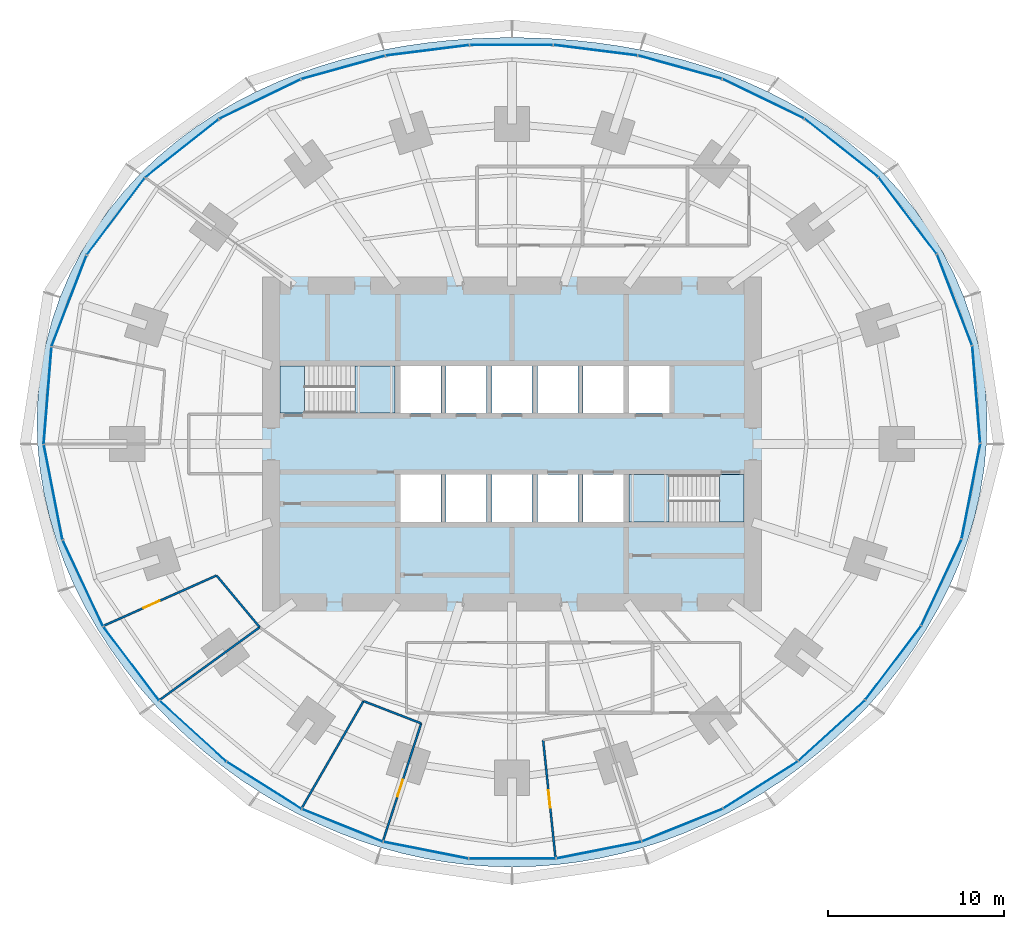
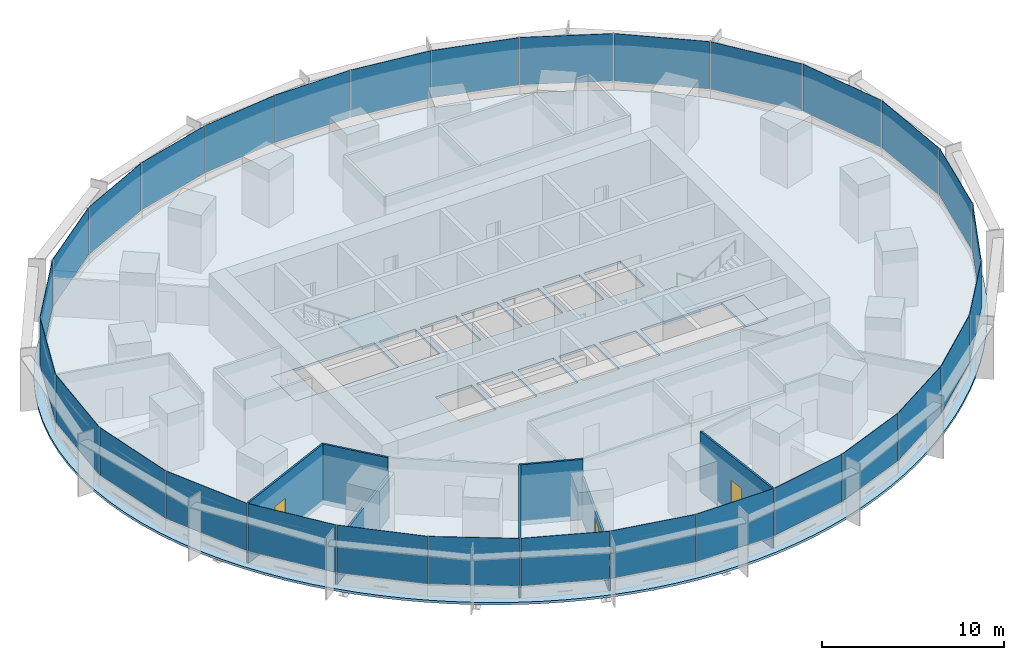
# One storey, part 10 of 15: 30 plates, 7 walls, 5 slabs, 3 doors, 3 openings, 8 elements without a shape of their own.
"""IFC4 building model written with IfcOpenShell, lengths in metres."""

from ifc_helpers import new_model, si_unit, direction, frame, frame_2d, origin, origin_2d, place, context, subcontext, project, spatial, polyline, rectangle, outline, extrude, material, layer, layer_set, type_object, element, fill, aggregate, save


model = new_model("IFC4")

# Units and contexts
model_context = context("Model", 3, precision=1e-05, world=origin(), true_north=direction((0.0, 1.0)))
body_context = subcontext(model_context, "Body", "Model", "MODEL_VIEW")
ifc_project = project(units=[si_unit("LENGTHUNIT", "METRE"), si_unit("AREAUNIT", "SQUARE_METRE"), si_unit("VOLUMEUNIT", "CUBIC_METRE"), si_unit("PLANEANGLEUNIT", "RADIAN"), si_unit("MASSUNIT", "GRAM", prefix="KILO")], contexts=[model_context])

# Site, building, storey
site_placement = place(None, origin())
site = spatial("IfcSite", under=ifc_project, at=site_placement, CompositionType="ELEMENT")
building_placement = place(site_placement, origin())
building = spatial("IfcBuilding", under=site, at=building_placement, Name="Marramba Exchange Tower", CompositionType="ELEMENT")
storey_placement = place(building_placement, frame((0.0, 0.0, 61.60009765625)))
storey = spatial("IfcBuildingStorey", under=building, at=storey_placement, Name="L14", CompositionType="ELEMENT", Elevation=61.60009765625)

# Slab
ifc_material_1 = material(Name="Concrete N40", Category="concrete")
ifc_layer_1 = layer(ifc_material_1, 0.159912109375)
ifc_layer_set_1 = layer_set([ifc_layer_1], Name="Composite floor slab 160")
slab_type_1 = type_object("IfcSlabType", Name="Composite floor slab 160", PredefinedType="FLOOR", material=ifc_layer_set_1)
slab_1_placement = place(storey_placement, frame((0.0, 0.0, -0.16015625)))
element("IfcSlab", 1, at=slab_1_placement, inside=storey, type_object=slab_type_1, Name="Floor slab L14", PredefinedType="FLOOR", context=body_context, shape_type="SweptSolid", body=[
    extrude(outline(polyline([(27.0, 0.0), (27.035888671875, 1.4169921875), (26.97265625, 2.8349609375), (26.80859375, 4.24609375), (26.5439453125, 5.64208984375), (26.179443359375, 7.0146484375), (25.717529296875, 8.356201171875), (25.16162109375, 9.65869140625), (24.516357421875, 10.915283203125), (23.786865234375, 12.1201171875), (22.9794921875, 13.267333984375), (22.10107421875, 14.3525390625), (21.158447265625, 15.37255859375), (20.159423828125, 16.32470703125), (19.11083984375, 17.20751953125), (18.020263671875, 18.020263671875), (16.89453125, 18.763427734375), (15.740478515625, 19.437744140625), (14.563720703125, 20.04541015625), (13.3701171875, 20.588134765625), (12.164306640625, 21.069091796875), (10.9501953125, 21.4912109375), (9.7314453125, 21.857421875), (8.5107421875, 22.1708984375), (7.289794921875, 22.435302734375), (6.06982421875, 22.6533203125), (4.85205078125, 22.827392578125), (3.636474609375, 22.96044921875), (2.423095703125, 23.053955078125), (1.211181640625, 23.109619140625), (0.0, 23.1279296875), (-1.211181640625, 23.109619140625), (-2.423095703125, 23.053955078125), (-3.636474609375, 22.96044921875), (-4.85205078125, 22.827392578125), (-6.06982421875, 22.6533203125), (-7.289794921875, 22.435302734375), (-8.5107421875, 22.1708984375), (-9.7314453125, 21.857421875), (-10.9501953125, 21.4912109375), (-12.164306640625, 21.069091796875), (-13.3701171875, 20.588134765625), (-14.563720703125, 20.04541015625), (-15.740478515625, 19.437744140625), (-16.89453125, 18.763427734375), (-18.020263671875, 18.020263671875), (-19.11083984375, 17.20751953125), (-20.159423828125, 16.32470703125), (-21.158447265625, 15.37255859375), (-22.10107421875, 14.3525390625), (-22.9794921875, 13.267333984375), (-23.786865234375, 12.1201171875), (-24.516357421875, 10.915283203125), (-25.16162109375, 9.65869140625), (-25.717529296875, 8.356201171875), (-26.179443359375, 7.0146484375), (-26.5439453125, 5.64208984375), (-26.80859375, 4.24609375), (-26.97265625, 2.8349609375), (-27.035888671875, 1.4169921875), (-27.0, 0.0), (-26.8671875, -1.407958984375), (-26.64111328125, -2.800048828125), (-26.326171875, -4.169677734375), (-25.927001953125, -5.510986328125), (-25.44921875, -6.819091796875), (-24.8984375, -8.090087890625), (-24.280517578125, -9.320556640625), (-23.60107421875, -10.5078125), (-22.865234375, -11.650390625), (-22.078369140625, -12.7470703125), (-21.244873046875, -13.796630859375), (-20.36865234375, -14.798583984375), (-19.453369140625, -15.753173828125), (-18.502197265625, -16.659423828125), (-17.517578125, -17.517578125), (-16.501953125, -18.327392578125), (-15.457275390625, -19.088134765625), (-14.385009765625, -19.799072265625), (-13.286865234375, -20.459716796875), (-12.164306640625, -21.069091796875), (-11.01904296875, -21.6259765625), (-9.8525390625, -22.129150390625), (-8.66650390625, -22.577392578125), (-7.463134765625, -22.968994140625), (-6.244140625, -23.30322265625), (-5.01171875, -23.578369140625), (-3.7685546875, -23.793701171875), (-2.51708984375, -23.947998046875), (-1.260009765625, -24.041015625), (0.0, -24.072021484375), (1.260009765625, -24.041015625), (2.51708984375, -23.947998046875), (3.7685546875, -23.793701171875), (5.01171875, -23.578369140625), (6.244140625, -23.30322265625), (7.463134765625, -22.968994140625), (8.66650390625, -22.577392578125), (9.8525390625, -22.129150390625), (11.01904296875, -21.6259765625), (12.164306640625, -21.069091796875), (13.286865234375, -20.459716796875), (14.385009765625, -19.799072265625), (15.457275390625, -19.088134765625), (16.501953125, -18.327392578125), (17.517578125, -17.517578125), (18.502197265625, -16.659423828125), (19.453369140625, -15.753173828125), (20.36865234375, -14.798583984375), (21.244873046875, -13.796630859375), (22.078369140625, -12.7470703125), (22.865234375, -11.650390625), (23.60107421875, -10.5078125), (24.280517578125, -9.320556640625), (24.8984375, -8.090087890625), (25.44921875, -6.819091796875), (25.927001953125, -5.510986328125), (26.326171875, -4.169677734375), (26.64111328125, -2.800048828125), (26.8671875, -1.407958984375), (27.0, 0.0)]), holes=[polyline([(-6.35009765625, 1.75), (-4.050048828125, 1.75), (-4.050048828125, 4.449951171875), (-6.35009765625, 4.449951171875), (-6.35009765625, 1.75)]), polyline([(-3.75, 1.75), (-1.449951171875, 1.75), (-1.449951171875, 4.449951171875), (-3.75, 4.449951171875), (-3.75, 1.75)]), polyline([(-1.14990234375, 1.75), (1.14990234375, 1.75), (1.14990234375, 4.449951171875), (-1.14990234375, 4.449951171875), (-1.14990234375, 1.75)]), polyline([(1.449951171875, 1.75), (3.75, 1.75), (3.75, 4.449951171875), (1.449951171875, 4.449951171875), (1.449951171875, 1.75)]), polyline([(4.050048828125, 1.75), (6.35009765625, 1.75), (6.35009765625, 4.449951171875), (4.050048828125, 4.449951171875), (4.050048828125, 1.75)]), polyline([(-6.35009765625, -4.449951171875), (-4.050048828125, -4.449951171875), (-4.050048828125, -1.75), (-6.35009765625, -1.75), (-6.35009765625, -4.449951171875)]), polyline([(-3.75, -4.449951171875), (-1.449951171875, -4.449951171875), (-1.449951171875, -1.75), (-3.75, -1.75), (-3.75, -4.449951171875)]), polyline([(-1.14990234375, -4.449951171875), (1.14990234375, -4.449951171875), (1.14990234375, -1.75), (-1.14990234375, -1.75), (-1.14990234375, -4.449951171875)]), polyline([(1.449951171875, -4.449951171875), (3.75, -4.449951171875), (3.75, -1.75), (1.449951171875, -1.75), (1.449951171875, -4.449951171875)]), polyline([(4.050048828125, -4.449951171875), (6.35009765625, -4.449951171875), (6.35009765625, -1.75), (4.050048828125, -1.75), (4.050048828125, -4.449951171875)]), polyline([(6.64990234375, 1.75), (8.949951171875, 1.75), (8.949951171875, 4.449951171875), (6.64990234375, 4.449951171875), (6.64990234375, 1.75)]), polyline([(-13.199951171875, 1.75), (-6.64990234375, 1.75), (-6.64990234375, 4.449951171875), (-13.199951171875, 4.449951171875), (-13.199951171875, 1.75)]), polyline([(6.64990234375, -4.449951171875), (13.199951171875, -4.449951171875), (13.199951171875, -1.75), (6.64990234375, -1.75), (6.64990234375, -4.449951171875)])]), origin(), (0.0, 0.0, 1.0), 0.16015625),
])

# Stair, slabs
ifc_material_2 = material(Name="Concrete N40 (40 MPa)", Category="concrete")
stair_type_1 = type_object("IfcStairType", Name="Exit stair ST1 4200 x 1250", PredefinedType="HALF_TURN_STAIR", material=ifc_material_2)
stair_1_placement = place(storey_placement, origin())
stair_1 = element("IfcStair", 2, at=stair_1_placement, inside=storey, type_object=stair_type_1, Name="Exit stair ST1 L14", PredefinedType="HALF_TURN_STAIR")
ifc_layer_2 = layer(ifc_material_2, 0.199951171875)
ifc_layer_set_2 = layer_set([ifc_layer_2], Name="Stair landing 200")
slab_type_2 = type_object("IfcSlabType", Name="Stair landing 200", PredefinedType="LANDING", material=ifc_layer_set_2)
slab_2_placement = place(storey_placement, frame((0.0, 0.0, -0.2001953125)))
slab_2 = element("IfcSlab", 3, at=slab_2_placement, type_object=slab_type_2, Name="ST1 landing 1", PredefinedType="LANDING", context=body_context, shape_type="SweptSolid", body=[
    extrude(outline(polyline([(-13.199951171875, 1.75), (-11.800048828125, 1.75), (-11.800048828125, 4.449951171875), (-13.199951171875, 4.449951171875), (-13.199951171875, 1.75)])), origin(), (0.0, 0.0, 1.0), 0.2001953125),
])
slab_3_placement = place(storey_placement, frame((0.0, 0.0, 1.89990234375)))
slab_3 = element("IfcSlab", 4, at=slab_3_placement, type_object=slab_type_2, Name="ST1 landing 2", PredefinedType="LANDING", context=body_context, shape_type="SweptSolid", body=[
    extrude(outline(polyline([(-8.93994140625, 1.75), (-6.64990234375, 1.75), (-6.64990234375, 4.449951171875), (-8.93994140625, 4.449951171875), (-8.93994140625, 1.75)])), origin(), (0.0, 0.0, 1.0), 0.199951171875),
])
aggregate(stair_1, [slab_2, slab_3])

stair_type_2 = type_object("IfcStairType", Name="Exit stair ST2 4200 x 1250", PredefinedType="HALF_TURN_STAIR", material=ifc_material_2)
stair_2_placement = place(storey_placement, origin())
stair_2 = element("IfcStair", 5, at=stair_2_placement, inside=storey, type_object=stair_type_2, Name="Exit stair ST2 L14", PredefinedType="HALF_TURN_STAIR")
slab_4_placement = place(storey_placement, frame((0.0, 0.0, -0.2001953125)))
slab_4 = element("IfcSlab", 6, at=slab_4_placement, type_object=slab_type_2, Name="ST2 landing 1", PredefinedType="LANDING", context=body_context, shape_type="SweptSolid", body=[
    extrude(outline(polyline([(11.800048828125, -4.449951171875), (13.199951171875, -4.449951171875), (13.199951171875, -1.75), (11.800048828125, -1.75), (11.800048828125, -4.449951171875)])), origin(), (0.0, 0.0, 1.0), 0.2001953125),
])
slab_5_placement = place(storey_placement, frame((0.0, 0.0, 1.89990234375)))
slab_5 = element("IfcSlab", 7, at=slab_5_placement, type_object=slab_type_2, Name="ST2 landing 2", PredefinedType="LANDING", context=body_context, shape_type="SweptSolid", body=[
    extrude(outline(polyline([(6.64990234375, -4.449951171875), (8.93994140625, -4.449951171875), (8.93994140625, -1.75), (6.64990234375, -1.75), (6.64990234375, -4.449951171875)])), origin(), (0.0, 0.0, 1.0), 0.199951171875),
])
aggregate(stair_2, [slab_4, slab_5])

# Curtain wall, plates
ifc_material_3 = material(Name="Aluminium framing, bronze anodised", Category="aluminium")
curtain_wall_type = type_object("IfcCurtainWallType", Name="Trading floor ribbon curtain wall", PredefinedType="USERDEFINED", material=ifc_material_3)
curtain_wall_1_placement = place(storey_placement, origin())
curtain_wall_1 = element("IfcCurtainWall", 8, at=curtain_wall_1_placement, inside=storey, type_object=curtain_wall_type, Name="Curtain wall CW3 L14 F01-F05", ObjectType="RIBBON CURTAIN WALL", PredefinedType="USERDEFINED")
ifc_material_4 = material(Name="Double glazed unit 10 + 12 + 8.76, bronze tinted", Category="glass")
ifc_layer_3 = layer(ifc_material_4, 0.03076171875)
ifc_layer_set_3 = layer_set([ifc_layer_3], Name="Trading floor ribbon curtain wall panel")
plate_type = type_object("IfcPlateType", Name="Trading floor ribbon curtain wall panel", PredefinedType="CURTAIN_PANEL", material=ifc_layer_set_3)
plate_1_placement = place(storey_placement, frame((26.42333984375, 2.814453125, 0.85986328125), z_axis=(0.0, 0.0, 1.0), x_axis=(-0.080275225953, 0.996772736434, 0.0)))
plate_1 = element("IfcPlate", 9, at=plate_1_placement, type_object=plate_type, Name="CW3 vision panel", PredefinedType="CURTAIN_PANEL", context=body_context, shape_type="SweptSolid", body=[
    extrude(rectangle(XDim=5.52734375, YDim=0.03076171875, at=origin_2d()), origin(), (0.0, 0.0, 1.0), 3.179931640625),
])
plate_2_placement = place(storey_placement, frame((25.188232421875, 8.19921875, 0.85986328125), z_axis=(0.0, 0.0, 1.0), x_axis=(-0.359525510698, 0.933135256626, 0.0)))
plate_2 = element("IfcPlate", 10, at=plate_2_placement, type_object=plate_type, Name="CW3 vision panel", PredefinedType="CURTAIN_PANEL", context=body_context, shape_type="SweptSolid", body=[
    extrude(rectangle(XDim=5.5166015625, YDim=0.03076171875, at=origin_2d()), origin(), (0.0, 0.0, 1.0), 3.179931640625),
])
plate_3_placement = place(storey_placement, frame((22.517822265625, 12.993896484375, 0.85986328125), z_axis=(0.0, 0.0, 1.0), x_axis=(-0.602989765036, 0.797748922445, 0.0)))
plate_3 = element("IfcPlate", 11, at=plate_3_placement, type_object=plate_type, Name="CW3 vision panel", PredefinedType="CURTAIN_PANEL", context=body_context, shape_type="SweptSolid", body=[
    extrude(rectangle(XDim=5.44775390625, YDim=0.03076171875, at=origin_2d()), origin(), (0.0, 0.0, 1.0), 3.179931640625),
])
plate_4_placement = place(storey_placement, frame((18.744384765625, 16.853759765625, 0.85986328125), z_axis=(0.0, 0.0, 1.0), x_axis=(-0.784087949432, 0.620649730166, 0.0)))
plate_4 = element("IfcPlate", 12, at=plate_4_placement, type_object=plate_type, Name="CW3 vision panel", PredefinedType="CURTAIN_PANEL", context=body_context, shape_type="SweptSolid", body=[
    extrude(rectangle(XDim=5.315673828125, YDim=0.03076171875, at=origin_2d()), origin(), (0.0, 0.0, 1.0), 3.179931640625),
])
plate_5_placement = place(storey_placement, frame((14.2978515625, 19.647705078125, 0.85986328125), z_axis=(0.0, 0.0, 1.0), x_axis=(-0.899963433508, 0.43596538664, 0.0)))
plate_5 = element("IfcPlate", 13, at=plate_5_placement, type_object=plate_type, Name="CW3 vision panel", PredefinedType="CURTAIN_PANEL", context=body_context, shape_type="SweptSolid", body=[
    extrude(rectangle(XDim=5.13037109375, YDim=0.03076171875, at=origin_2d()), origin(), (0.0, 0.0, 1.0), 3.179931640625),
])
aggregate(curtain_wall_1, [plate_1, plate_2, plate_3, plate_4, plate_5])

curtain_wall_2_placement = place(storey_placement, origin())
curtain_wall_2 = element("IfcCurtainWall", 14, at=curtain_wall_2_placement, inside=storey, type_object=curtain_wall_type, Name="Curtain wall CW3 L14 F06-F10", ObjectType="RIBBON CURTAIN WALL", PredefinedType="USERDEFINED")
plate_6_placement = place(storey_placement, frame((9.556396484375, 21.4423828125, 0.85986328125), z_axis=(0.0, 0.0, 1.0), x_axis=(-0.963472096649, 0.267808735815, 0.0)))
plate_6 = element("IfcPlate", 15, at=plate_6_placement, type_object=plate_type, Name="CW3 vision panel", PredefinedType="CURTAIN_PANEL", context=body_context, shape_type="SweptSolid", body=[
    extrude(rectangle(XDim=4.929931640625, YDim=0.03076171875, at=origin_2d()), origin(), (0.0, 0.0, 1.0), 3.179931640625),
])
plate_7_placement = place(storey_placement, frame((4.754150390625, 22.407958984375, 0.85986328125), z_axis=(0.0, 0.0, 1.0), x_axis=(-0.992172768738, 0.124872723099, 0.0)))
plate_7 = element("IfcPlate", 16, at=plate_7_placement, type_object=plate_type, Name="CW3 vision panel", PredefinedType="CURTAIN_PANEL", context=body_context, shape_type="SweptSolid", body=[
    extrude(rectangle(XDim=4.77294921875, YDim=0.03076171875, at=origin_2d()), origin(), (0.0, 0.0, 1.0), 3.179931640625),
])
plate_8_placement = place(storey_placement, frame((-0.030029296875, 22.7060546875, 0.85986328125), z_axis=(0.0, 0.0, 1.0), x_axis=(-1.0, 0.0, 0.0)))
plate_8 = element("IfcPlate", 17, at=plate_8_placement, type_object=plate_type, Name="CW3 vision panel", PredefinedType="CURTAIN_PANEL", context=body_context, shape_type="SweptSolid", body=[
    extrude(rectangle(XDim=4.712890625, YDim=0.03076171875, at=origin_2d()), origin(), (0.0, 0.0, 1.0), 3.179931640625),
])
plate_9_placement = place(storey_placement, frame((-4.813720703125, 22.400390625, 0.85986328125), z_axis=(0.0, 0.0, 1.0), x_axis=(-0.992172768738, -0.124872723099, 0.0)))
plate_9 = element("IfcPlate", 18, at=plate_9_placement, type_object=plate_type, Name="CW3 vision panel", PredefinedType="CURTAIN_PANEL", context=body_context, shape_type="SweptSolid", body=[
    extrude(rectangle(XDim=4.77294921875, YDim=0.03076171875, at=origin_2d()), origin(), (0.0, 0.0, 1.0), 3.179931640625),
])
plate_10_placement = place(storey_placement, frame((-9.6142578125, 21.42626953125, 0.85986328125), z_axis=(0.0, 0.0, 1.0), x_axis=(-0.963472096649, -0.267808735815, 0.0)))
plate_10 = element("IfcPlate", 19, at=plate_10_placement, type_object=plate_type, Name="CW3 vision panel", PredefinedType="CURTAIN_PANEL", context=body_context, shape_type="SweptSolid", body=[
    extrude(rectangle(XDim=4.929931640625, YDim=0.03076171875, at=origin_2d()), origin(), (0.0, 0.0, 1.0), 3.179931640625),
])
aggregate(curtain_wall_2, [plate_6, plate_7, plate_8, plate_9, plate_10])

curtain_wall_3_placement = place(storey_placement, origin())
curtain_wall_3 = element("IfcCurtainWall", 20, at=curtain_wall_3_placement, inside=storey, type_object=curtain_wall_type, Name="Curtain wall CW3 L14 F11-F15", ObjectType="RIBBON CURTAIN WALL", PredefinedType="USERDEFINED")
plate_11_placement = place(storey_placement, frame((-14.351806640625, 19.62158203125, 0.85986328125), z_axis=(0.0, 0.0, 1.0), x_axis=(-0.899963433508, -0.43596538664, 0.0)))
plate_11 = element("IfcPlate", 21, at=plate_11_placement, type_object=plate_type, Name="CW3 vision panel", PredefinedType="CURTAIN_PANEL", context=body_context, shape_type="SweptSolid", body=[
    extrude(rectangle(XDim=5.13037109375, YDim=0.03076171875, at=origin_2d()), origin(), (0.0, 0.0, 1.0), 3.179931640625),
])
plate_12_placement = place(storey_placement, frame((-18.79150390625, 16.81640625, 0.85986328125), z_axis=(0.0, 0.0, 1.0), x_axis=(-0.784087949432, -0.620649730166, 0.0)))
plate_12 = element("IfcPlate", 22, at=plate_12_placement, type_object=plate_type, Name="CW3 vision panel", PredefinedType="CURTAIN_PANEL", context=body_context, shape_type="SweptSolid", body=[
    extrude(rectangle(XDim=5.315673828125, YDim=0.03076171875, at=origin_2d()), origin(), (0.0, 0.0, 1.0), 3.179931640625),
])
plate_13_placement = place(storey_placement, frame((-22.553955078125, 12.946044921875, 0.85986328125), z_axis=(0.0, 0.0, 1.0), x_axis=(-0.602989765036, -0.797748922445, 0.0)))
plate_13 = element("IfcPlate", 23, at=plate_13_placement, type_object=plate_type, Name="CW3 vision panel", PredefinedType="CURTAIN_PANEL", context=body_context, shape_type="SweptSolid", body=[
    extrude(rectangle(XDim=5.44775390625, YDim=0.03076171875, at=origin_2d()), origin(), (0.0, 0.0, 1.0), 3.179931640625),
])
plate_14_placement = place(storey_placement, frame((-25.209716796875, 8.14306640625, 0.85986328125), z_axis=(0.0, 0.0, 1.0), x_axis=(-0.359525510698, -0.933135256626, 0.0)))
plate_14 = element("IfcPlate", 24, at=plate_14_placement, type_object=plate_type, Name="CW3 vision panel", PredefinedType="CURTAIN_PANEL", context=body_context, shape_type="SweptSolid", body=[
    extrude(rectangle(XDim=5.5166015625, YDim=0.03076171875, at=origin_2d()), origin(), (0.0, 0.0, 1.0), 3.179931640625),
])
plate_15_placement = place(storey_placement, frame((-26.42822265625, 2.754638671875, 0.85986328125), z_axis=(0.0, 0.0, 1.0), x_axis=(-0.080275225953, -0.996772736434, 0.0)))
plate_15 = element("IfcPlate", 25, at=plate_15_placement, type_object=plate_type, Name="CW3 vision panel", PredefinedType="CURTAIN_PANEL", context=body_context, shape_type="SweptSolid", body=[
    extrude(rectangle(XDim=5.52734375, YDim=0.03076171875, at=origin_2d()), origin(), (0.0, 0.0, 1.0), 3.179931640625),
])
aggregate(curtain_wall_3, [plate_11, plate_12, plate_13, plate_14, plate_15])

curtain_wall_4_placement = place(storey_placement, origin())
curtain_wall_4 = element("IfcCurtainWall", 26, at=curtain_wall_4_placement, inside=storey, type_object=curtain_wall_type, Name="Curtain wall CW3 L14 F16-F20", ObjectType="RIBBON CURTAIN WALL", PredefinedType="USERDEFINED")
plate_16_placement = place(storey_placement, frame((-26.111572265625, -2.74853515625, 0.85986328125), z_axis=(0.0, 0.0, 1.0), x_axis=(0.1922485756, -0.981346261612, 0.0)))
plate_16 = element("IfcPlate", 27, at=plate_16_placement, type_object=plate_type, Name="CW3 vision panel", PredefinedType="CURTAIN_PANEL", context=body_context, shape_type="SweptSolid", body=[
    extrude(rectangle(XDim=5.4814453125, YDim=0.03076171875, at=origin_2d()), origin(), (0.0, 0.0, 1.0), 3.179931640625),
])
plate_17_placement = place(storey_placement, frame((-24.420166015625, -7.928955078125, 0.85986328125), z_axis=(0.0, 0.0, 1.0), x_axis=(0.423477206492, -0.905906758768, 0.0)))
plate_17 = element("IfcPlate", 28, at=plate_17_placement, type_object=plate_type, Name="CW3 vision panel", PredefinedType="CURTAIN_PANEL", context=body_context, shape_type="SweptSolid", body=[
    extrude(rectangle(XDim=5.379150390625, YDim=0.03076171875, at=origin_2d()), origin(), (0.0, 0.0, 1.0), 3.179931640625),
])
plate_18_placement = place(storey_placement, frame((-21.665283203125, -12.503173828125, 0.85986328125), z_axis=(0.0, 0.0, 1.0), x_axis=(0.603040473588, -0.797710591138, 0.0)))
plate_18 = element("IfcPlate", 29, at=plate_18_placement, type_object=plate_type, Name="CW3 vision panel", PredefinedType="CURTAIN_PANEL", context=body_context, shape_type="SweptSolid", body=[
    extrude(rectangle(XDim=5.239501953125, YDim=0.03076171875, at=origin_2d()), origin(), (0.0, 0.0, 1.0), 3.179931640625),
])
plate_19_placement = place(storey_placement, frame((-18.154541015625, -16.350341796875, 0.85986328125), z_axis=(0.0, 0.0, 1.0), x_axis=(0.739589581463, -0.673058133441, 0.0)))
plate_19 = element("IfcPlate", 30, at=plate_19_placement, type_object=plate_type, Name="CW3 vision panel", PredefinedType="CURTAIN_PANEL", context=body_context, shape_type="SweptSolid", body=[
    extrude(rectangle(XDim=5.101806640625, YDim=0.03076171875, at=origin_2d()), origin(), (0.0, 0.0, 1.0), 3.179931640625),
])
plate_20_placement = place(storey_placement, frame((-14.103271484375, -19.4326171875, 0.85986328125), z_axis=(0.0, 0.0, 1.0), x_axis=(0.845790826298, -0.533514646612, 0.0)))
plate_20 = element("IfcPlate", 31, at=plate_20_placement, type_object=plate_type, Name="CW3 vision panel", PredefinedType="CURTAIN_PANEL", context=body_context, shape_type="SweptSolid", body=[
    extrude(rectangle(XDim=4.99853515625, YDim=0.03076171875, at=origin_2d()), origin(), (0.0, 0.0, 1.0), 3.179931640625),
])
aggregate(curtain_wall_4, [plate_16, plate_17, plate_18, plate_19, plate_20])

curtain_wall_5_placement = place(storey_placement, origin())
curtain_wall_5 = element("IfcCurtainWall", 32, at=curtain_wall_5_placement, inside=storey, type_object=curtain_wall_type, Name="Curtain wall CW3 L14 F21-F25", ObjectType="RIBBON CURTAIN WALL", PredefinedType="USERDEFINED")
plate_21_placement = place(storey_placement, frame((-9.644287109375, -21.71240234375, 0.85986328125), z_axis=(0.0, 0.0, 1.0), x_axis=(0.927340673283, -0.374218219325, 0.0)))
plate_21 = element("IfcPlate", 33, at=plate_21_placement, type_object=plate_type, Name="CW3 vision panel", PredefinedType="CURTAIN_PANEL", context=body_context, shape_type="SweptSolid", body=[
    extrude(rectangle(XDim=4.9375, YDim=0.03076171875, at=origin_2d()), origin(), (0.0, 0.0, 1.0), 3.179931640625),
])
plate_22_placement = place(storey_placement, frame((-4.88818359375, -23.1240234375, 0.85986328125), z_axis=(0.0, 0.0, 1.0), x_axis=(0.98100920064, -0.193961202977, 0.0)))
plate_22 = element("IfcPlate", 34, at=plate_22_placement, type_object=plate_type, Name="CW3 vision panel", PredefinedType="CURTAIN_PANEL", context=body_context, shape_type="SweptSolid", body=[
    extrude(rectangle(XDim=4.908935546875, YDim=0.03076171875, at=origin_2d()), origin(), (0.0, 0.0, 1.0), 3.179931640625),
])
plate_23_placement = place(storey_placement, frame((0.030029296875, -23.599853515625, 0.85986328125), z_axis=(0.0, 0.0, 1.0), x_axis=(1.0, 0.0, 0.0)))
plate_23 = element("IfcPlate", 35, at=plate_23_placement, type_object=plate_type, Name="CW3 vision panel", PredefinedType="CURTAIN_PANEL", context=body_context, shape_type="SweptSolid", body=[
    extrude(rectangle(XDim=4.90087890625, YDim=0.03076171875, at=origin_2d()), origin(), (0.0, 0.0, 1.0), 3.179931640625),
])
plate_24_placement = place(storey_placement, frame((4.947021484375, -23.1123046875, 0.85986328125), z_axis=(0.0, 0.0, 1.0), x_axis=(0.98100920064, 0.193961202977, 0.0)))
plate_24 = element("IfcPlate", 36, at=plate_24_placement, type_object=plate_type, Name="CW3 vision panel", PredefinedType="CURTAIN_PANEL", context=body_context, shape_type="SweptSolid", body=[
    extrude(rectangle(XDim=4.908935546875, YDim=0.03076171875, at=origin_2d()), origin(), (0.0, 0.0, 1.0), 3.179931640625),
])
plate_25_placement = place(storey_placement, frame((9.699951171875, -21.68994140625, 0.85986328125), z_axis=(0.0, 0.0, 1.0), x_axis=(0.927340673283, 0.374218219325, 0.0)))
plate_25 = element("IfcPlate", 37, at=plate_25_placement, type_object=plate_type, Name="CW3 vision panel", PredefinedType="CURTAIN_PANEL", context=body_context, shape_type="SweptSolid", body=[
    extrude(rectangle(XDim=4.9375, YDim=0.03076171875, at=origin_2d()), origin(), (0.0, 0.0, 1.0), 3.179931640625),
])
aggregate(curtain_wall_5, [plate_21, plate_22, plate_23, plate_24, plate_25])

curtain_wall_6_placement = place(storey_placement, origin())
curtain_wall_6 = element("IfcCurtainWall", 38, at=curtain_wall_6_placement, inside=storey, type_object=curtain_wall_type, Name="Curtain wall CW3 L14 F26-F30", ObjectType="RIBBON CURTAIN WALL", PredefinedType="USERDEFINED")
plate_26_placement = place(storey_placement, frame((14.15380859375, -19.400634765625, 0.85986328125), z_axis=(0.0, 0.0, 1.0), x_axis=(0.845790826298, 0.533514646612, 0.0)))
plate_26 = element("IfcPlate", 39, at=plate_26_placement, type_object=plate_type, Name="CW3 vision panel", PredefinedType="CURTAIN_PANEL", context=body_context, shape_type="SweptSolid", body=[
    extrude(rectangle(XDim=4.99853515625, YDim=0.03076171875, at=origin_2d()), origin(), (0.0, 0.0, 1.0), 3.179931640625),
])
plate_27_placement = place(storey_placement, frame((18.19873046875, -16.309814453125, 0.85986328125), z_axis=(0.0, 0.0, 1.0), x_axis=(0.739589581463, 0.673058133441, 0.0)))
plate_27 = element("IfcPlate", 40, at=plate_27_placement, type_object=plate_type, Name="CW3 vision panel", PredefinedType="CURTAIN_PANEL", context=body_context, shape_type="SweptSolid", body=[
    extrude(rectangle(XDim=5.101806640625, YDim=0.03076171875, at=origin_2d()), origin(), (0.0, 0.0, 1.0), 3.179931640625),
])
plate_28_placement = place(storey_placement, frame((21.701416015625, -12.455322265625, 0.85986328125), z_axis=(0.0, 0.0, 1.0), x_axis=(0.603040473588, 0.797710591138, 0.0)))
plate_28 = element("IfcPlate", 41, at=plate_28_placement, type_object=plate_type, Name="CW3 vision panel", PredefinedType="CURTAIN_PANEL", context=body_context, shape_type="SweptSolid", body=[
    extrude(rectangle(XDim=5.239501953125, YDim=0.03076171875, at=origin_2d()), origin(), (0.0, 0.0, 1.0), 3.179931640625),
])
plate_29_placement = place(storey_placement, frame((24.44580078125, -7.874755859375, 0.85986328125), z_axis=(0.0, 0.0, 1.0), x_axis=(0.423477206492, 0.905906758768, 0.0)))
plate_29 = element("IfcPlate", 42, at=plate_29_placement, type_object=plate_type, Name="CW3 vision panel", PredefinedType="CURTAIN_PANEL", context=body_context, shape_type="SweptSolid", body=[
    extrude(rectangle(XDim=5.379150390625, YDim=0.03076171875, at=origin_2d()), origin(), (0.0, 0.0, 1.0), 3.179931640625),
])
plate_30_placement = place(storey_placement, frame((26.123046875, -2.689697265625, 0.85986328125), z_axis=(0.0, 0.0, 1.0), x_axis=(0.1922485756, 0.981346261612, 0.0)))
plate_30 = element("IfcPlate", 43, at=plate_30_placement, type_object=plate_type, Name="CW3 vision panel", PredefinedType="CURTAIN_PANEL", context=body_context, shape_type="SweptSolid", body=[
    extrude(rectangle(XDim=5.4814453125, YDim=0.03076171875, at=origin_2d()), origin(), (0.0, 0.0, 1.0), 3.179931640625),
])
aggregate(curtain_wall_6, [plate_26, plate_27, plate_28, plate_29, plate_30])

# Wall, opening, door
ifc_material_5 = material(Name="Plasterboard on steel studs", Category="steel")
ifc_layer_4 = layer(ifc_material_5, 0.1201171875)
ifc_layer_set_4 = layer_set([ifc_layer_4], Name="Partition 120")
wall_type = type_object("IfcWallType", Name="Partition 120", PredefinedType="PARTITIONING", material=ifc_layer_set_4)
wall_1_placement = place(storey_placement, frame((-16.8134765625, -7.48583984375, 0.0), z_axis=(0.0, 0.0, 1.0), x_axis=(-0.913543837108, -0.406740282837, 0.0)))
wall_1 = element("IfcWall", 44, at=wall_1_placement, inside=storey, type_object=wall_type, Name="Partition L14 02", PredefinedType="PARTITIONING", context=body_context, shape_type="SweptSolid", body=[
    extrude(rectangle(XDim=7.0, YDim=0.1201171875, at=frame_2d((3.5, 0.0))), origin(), (0.0, 0.0, 1.0), 4.039794921875),
])
opening_1_placement = place(wall_1_placement, frame((3.550048828125, 0.0, 0.0)))
opening_1 = element("IfcOpeningElement", 45, at=opening_1_placement, cuts=wall_1, Name="Opening D9", PredefinedType="OPENING", context=body_context, shape_type="SweptSolid", body=[
    extrude(rectangle(XDim=1.0, YDim=2.39990234375, at=frame_2d((0.5, 1.199951171875))), frame((0.0, 0.070068359375, 0.0), z_axis=(0.0, -1.0, 0.0), x_axis=(1.0, 0.0, 0.0)), (0.0, 0.0, 1.0), 0.14013671875),
])
ifc_material_6 = material(Name="Timber door", Category="wood")
door_type = type_object("IfcDoorType", Name="Room door 1000x2400", OperationType="SINGLE_SWING_LEFT", PredefinedType="DOOR", material=ifc_material_6)
door_1_placement = place(opening_1_placement, origin())
door_1 = element("IfcDoor", 46, at=door_1_placement, inside=storey, type_object=door_type, Name="D9 Head of Desk Office 1 L14", OperationType="SINGLE_SWING_RIGHT", OverallHeight=2.39990234375, OverallWidth=1.0, PredefinedType="DOOR", context=body_context, shape_type="SweptSolid", body=[
    extrude(rectangle(XDim=1.0, YDim=2.39990234375, at=frame_2d((0.5, 1.199951171875))), frame((0.0, 0.02490234375, 0.0), z_axis=(0.0, -1.0, 0.0), x_axis=(1.0, 0.0, 0.0)), (0.0, 0.0, 1.0), 0.050048828125),
])
fill(opening_1, door_1)

# Walls
wall_2_placement = place(storey_placement, frame((-14.357666015625, -10.431396484375, 0.0), z_axis=(0.0, 0.0, 1.0), x_axis=(-0.640365972165, 0.768069932814, 0.0)))
element("IfcWall", 47, at=wall_2_placement, inside=storey, type_object=wall_type, Name="Partition L14 03", PredefinedType="PARTITIONING", context=body_context, shape_type="SweptSolid", body=[
    extrude(rectangle(XDim=3.8349609375, YDim=0.1201171875, at=frame_2d((1.91748046875, 0.0))), origin(), (0.0, 0.0, 1.0), 4.039794921875),
])
wall_3_placement = place(storey_placement, frame((-14.357666015625, -10.431396484375, 0.0), z_axis=(0.0, 0.0, 1.0), x_axis=(-0.809015012105, -0.587787980643, 0.0)))
element("IfcWall", 48, at=wall_3_placement, inside=storey, type_object=wall_type, Name="Partition L14 04", PredefinedType="PARTITIONING", context=body_context, shape_type="SweptSolid", body=[
    extrude(rectangle(XDim=7.0, YDim=0.1201171875, at=frame_2d((3.5, 0.0))), origin(), (0.0, 0.0, 1.0), 2.83984375),
])
wall_4_placement = place(storey_placement, frame((-8.44921875, -14.634521484375, 0.0), z_axis=(0.0, 0.0, 1.0), x_axis=(-0.499995173006, -0.866028190633, 0.0)))
element("IfcWall", 49, at=wall_4_placement, inside=storey, type_object=wall_type, Name="Partition L14 06", PredefinedType="PARTITIONING", context=body_context, shape_type="SweptSolid", body=[
    extrude(rectangle(XDim=7.0, YDim=0.1201171875, at=frame_2d((3.5, 0.0))), origin(), (0.0, 0.0, 1.0), 4.039794921875),
])
wall_5_placement = place(storey_placement, frame((-5.1669921875, -15.902587890625, 0.0), z_axis=(0.0, 0.0, 1.0), x_axis=(-0.932804495801, 0.360382813983, 0.0)))
element("IfcWall", 50, at=wall_5_placement, inside=storey, type_object=wall_type, Name="Partition L14 08", PredefinedType="PARTITIONING", context=body_context, shape_type="SweptSolid", body=[
    extrude(rectangle(XDim=3.5185546875, YDim=0.1201171875, at=frame_2d((1.75927734375, 0.0))), origin(), (0.0, 0.0, 1.0), 4.039794921875),
])

# Wall, opening, door
wall_6_placement = place(storey_placement, frame((-7.330078125, -22.56005859375, 0.0), z_axis=(0.0, 0.0, 1.0), x_axis=(0.309009574742, 0.951058927048, 0.0)))
wall_6 = element("IfcWall", 51, at=wall_6_placement, inside=storey, type_object=wall_type, Name="Partition L14 09", PredefinedType="PARTITIONING", context=body_context, shape_type="SweptSolid", body=[
    extrude(rectangle(XDim=7.0, YDim=0.1201171875, at=frame_2d((3.5, 0.0))), origin(), (0.0, 0.0, 1.0), 2.83984375),
])
opening_2_placement = place(wall_6_placement, frame((2.62109375, 0.0, 0.0)))
opening_2 = element("IfcOpeningElement", 52, at=opening_2_placement, cuts=wall_6, Name="Opening D9", PredefinedType="OPENING", context=body_context, shape_type="SweptSolid", body=[
    extrude(rectangle(XDim=1.0, YDim=2.39990234375, at=frame_2d((0.5, 1.199951171875))), frame((0.0, 0.070068359375, 0.0), z_axis=(0.0, -1.0, 0.0), x_axis=(1.0, 0.0, 0.0)), (0.0, 0.0, 1.0), 0.14013671875),
])
door_2_placement = place(opening_2_placement, origin())
door_2 = element("IfcDoor", 53, at=door_2_placement, inside=storey, type_object=door_type, Name="D9 Head of Desk Office 3 L14", OperationType="SINGLE_SWING_LEFT", OverallHeight=2.39990234375, OverallWidth=1.0, PredefinedType="DOOR", context=body_context, shape_type="SweptSolid", body=[
    extrude(rectangle(XDim=1.0, YDim=2.39990234375, at=frame_2d((0.5, 1.199951171875))), frame((0.0, 0.02490234375, 0.0), z_axis=(0.0, -1.0, 0.0), x_axis=(1.0, 0.0, 0.0)), (0.0, 0.0, 1.0), 0.050048828125),
])
fill(opening_2, door_2)

wall_7_placement = place(storey_placement, frame((1.771728515625, -16.857177734375, 0.0), z_axis=(0.0, 0.0, 1.0), x_axis=(0.104542522915, -0.994520417539, 0.0)))
wall_7 = element("IfcWall", 54, at=wall_7_placement, inside=storey, type_object=wall_type, Name="Partition L14 12", PredefinedType="PARTITIONING", context=body_context, shape_type="SweptSolid", body=[
    extrude(rectangle(XDim=6.699951171875, YDim=0.1201171875, at=frame_2d((3.35009765625, 0.0))), origin(), (0.0, 0.0, 1.0), 4.039794921875),
])
opening_3_placement = place(wall_7_placement, frame((2.875, 0.0, 0.0)))
opening_3 = element("IfcOpeningElement", 55, at=opening_3_placement, cuts=wall_7, Name="Opening D9", PredefinedType="OPENING", context=body_context, shape_type="SweptSolid", body=[
    extrude(rectangle(XDim=1.0, YDim=2.39990234375, at=frame_2d((0.5, 1.199951171875))), frame((0.0, 0.070068359375, 0.0), z_axis=(0.0, -1.0, 0.0), x_axis=(1.0, 0.0, 0.0)), (0.0, 0.0, 1.0), 0.14013671875),
])
door_3_placement = place(opening_3_placement, origin())
door_3 = element("IfcDoor", 56, at=door_3_placement, inside=storey, type_object=door_type, Name="D9 Risk Office L14", OperationType="SINGLE_SWING_RIGHT", OverallHeight=2.39990234375, OverallWidth=1.0, PredefinedType="DOOR", context=body_context, shape_type="SweptSolid", body=[
    extrude(rectangle(XDim=1.0, YDim=2.39990234375, at=frame_2d((0.5, 1.199951171875))), frame((0.0, 0.02490234375, 0.0), z_axis=(0.0, -1.0, 0.0), x_axis=(1.0, 0.0, 0.0)), (0.0, 0.0, 1.0), 0.050048828125),
])
fill(opening_3, door_3)

save(model, "model.ifc")
